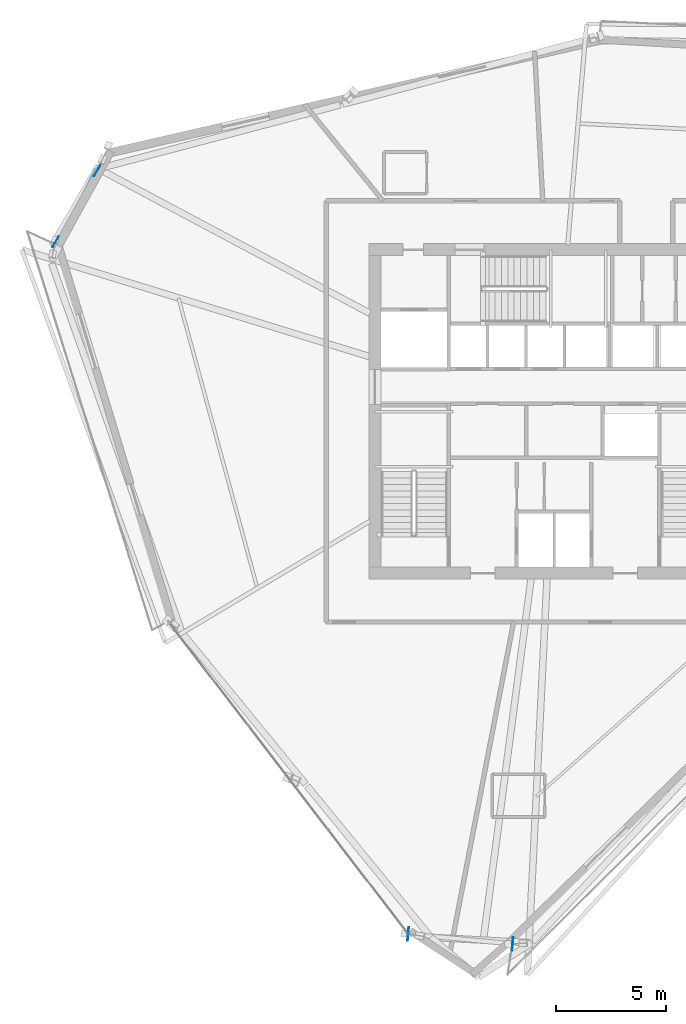
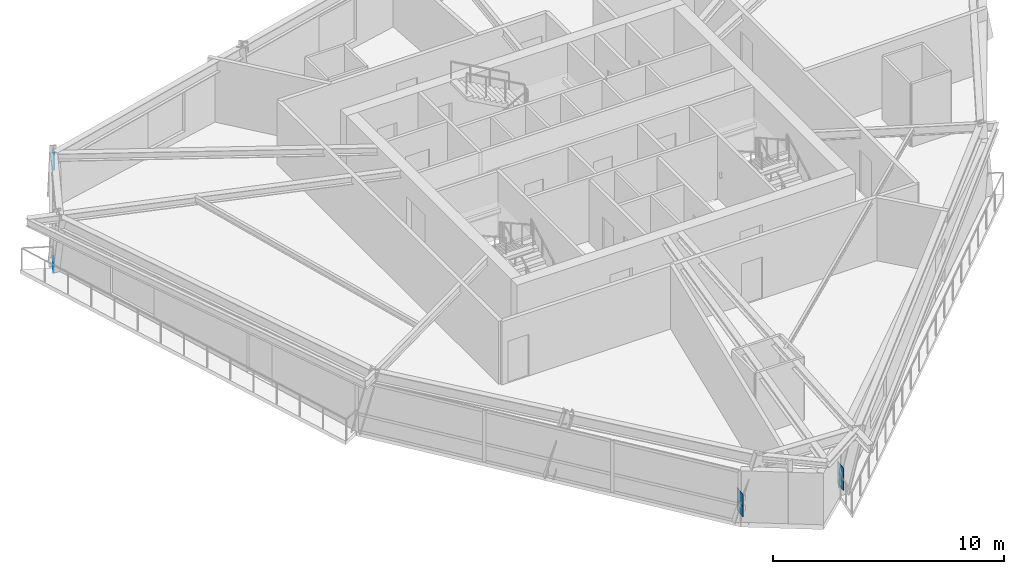
# One storey, part 7 of 15: 6 plates.
"""IFC4 building model written with IfcOpenShell, lengths in metres."""

from ifc_helpers import new_model, si_unit, direction, frame, origin, origin_2d, place, context, subcontext, project, spatial, rectangle, extrude, source, transform, mapped, material, type_object, element, save


model = new_model("IFC4")

# Units and contexts
model_context = context("Model", 3, precision=1e-05, world=origin(), true_north=direction((0.0, 1.0)))
body_context = subcontext(model_context, "Body", "Model", "MODEL_VIEW")
ifc_project = project(units=[si_unit("LENGTHUNIT", "METRE"), si_unit("AREAUNIT", "SQUARE_METRE"), si_unit("VOLUMEUNIT", "CUBIC_METRE"), si_unit("PLANEANGLEUNIT", "RADIAN"), si_unit("MASSUNIT", "GRAM", prefix="KILO")], contexts=[model_context])

# Site, building, storey
site_placement = place(None, origin())
site = spatial("IfcSite", under=ifc_project, at=site_placement, CompositionType="ELEMENT")
building_placement = place(site_placement, origin())
building = spatial("IfcBuilding", under=site, at=building_placement, Name="Olszyna Solenne Hotel", CompositionType="ELEMENT")
storey_placement = place(building_placement, frame((0.0, 0.0, 157.25)))
storey = spatial("IfcBuildingStorey", under=building, at=storey_placement, Name="L41", CompositionType="ELEMENT", Elevation=157.25)

# Plates
ifc_material_1 = material(Name="Steel S460M", Category="steel")
plate_type_1 = type_object("IfcPlateType", Name="GP-CAP2", PredefinedType="USERDEFINED", material=ifc_material_1)
shared_shape_1 = source(origin(), body_context, "Body", "SweptSolid", [
    extrude(rectangle(XDim=0.030029296875, YDim=0.6201171875, at=origin_2d()), origin(), (0.0, 0.0, 1.0), 0.6201171875),
])
for number, where, z_axis, x_axis, name in (
    (1, (31.345947265625, 2.76513671875, 1.0400390625), (0.0, 0.0, 1.0), (0.995724698185, -0.092370587447, 0.0), "Hollow section end-cap plate GP-CAP2 CP-PR-M-L41-PR1-1"),
    (2, (36.10693359375, 2.323486328125, 1.0400390625), (0.0, 0.0, 1.0), (0.995724698185, -0.092370587447, 0.0), "Hollow section end-cap plate GP-CAP2 CP-PR-M-L41-PR1-2"),
    (3, (31.345947265625, 2.76513671875, 0.469970703125), (0.0, 0.0, 1.0), (0.995724698185, -0.092370587447, 0.0), "Hollow section end-cap plate GP-CAP2 CP-PR-M-L41-PR2-1"),
    (4, (36.10693359375, 2.323486328125, 0.469970703125), (0.0, 0.0, 1.0), (0.995724698185, -0.092370587447, 0.0), "Hollow section end-cap plate GP-CAP2 CP-PR-M-L41-PR2-2"),
):
    element("IfcPlate", number, at=place(storey_placement, frame(where, z_axis=z_axis, x_axis=x_axis)), inside=storey, type_object=plate_type_1, Name=name, ObjectType="GUSSET_PLATE", PredefinedType="USERDEFINED", context=body_context, shape_type="MappedRepresentation", body=[
        mapped(shared_shape_1, transform((0.0, 0.0, 0.0), x_axis=(1.0, 0.0, 0.0), y_axis=(0.0, 1.0, 0.0), z_axis=(0.0, 0.0, 1.0), scale=1.0)),
    ])
ifc_material_2 = material(Name="Steel S355J2", Category="steel")
plate_type_2 = type_object("IfcPlateType", Name="GP-ND2", PredefinedType="USERDEFINED", material=ifc_material_2)
shared_shape_2 = source(origin(), body_context, "Body", "SweptSolid", [
    extrude(rectangle(XDim=0.56005859375, YDim=0.02001953125, at=origin_2d()), origin(), (0.0, 0.0, 1.0), 0.47998046875),
])
for number, where, z_axis, x_axis, name in (
    (5, (15.271484375, 34.34228515625, -0.145751953125), (0.0, 0.0, 1.0), (0.505280886365, 0.862954938496, 0.0), "Brace end connection gusset plate GP-ND2 EP-BR-L41-2-1"),
    (6, (17.16162109375, 37.571044921875, 2.67578125), (0.0, 0.0, 1.0), (0.505280886365, 0.862954938496, 0.0), "Brace end connection gusset plate GP-ND2 EP-BR-L41-2-2"),
):
    element("IfcPlate", number, at=place(storey_placement, frame(where, z_axis=z_axis, x_axis=x_axis)), inside=storey, type_object=plate_type_2, Name=name, ObjectType="GUSSET_PLATE", PredefinedType="USERDEFINED", context=body_context, shape_type="MappedRepresentation", body=[
        mapped(shared_shape_2, transform((0.0, 0.0, 0.0), x_axis=(1.0, 0.0, 0.0), y_axis=(0.0, 1.0, 0.0), z_axis=(0.0, 0.0, 1.0), scale=1.0)),
    ])

save(model, "model.ifc")
